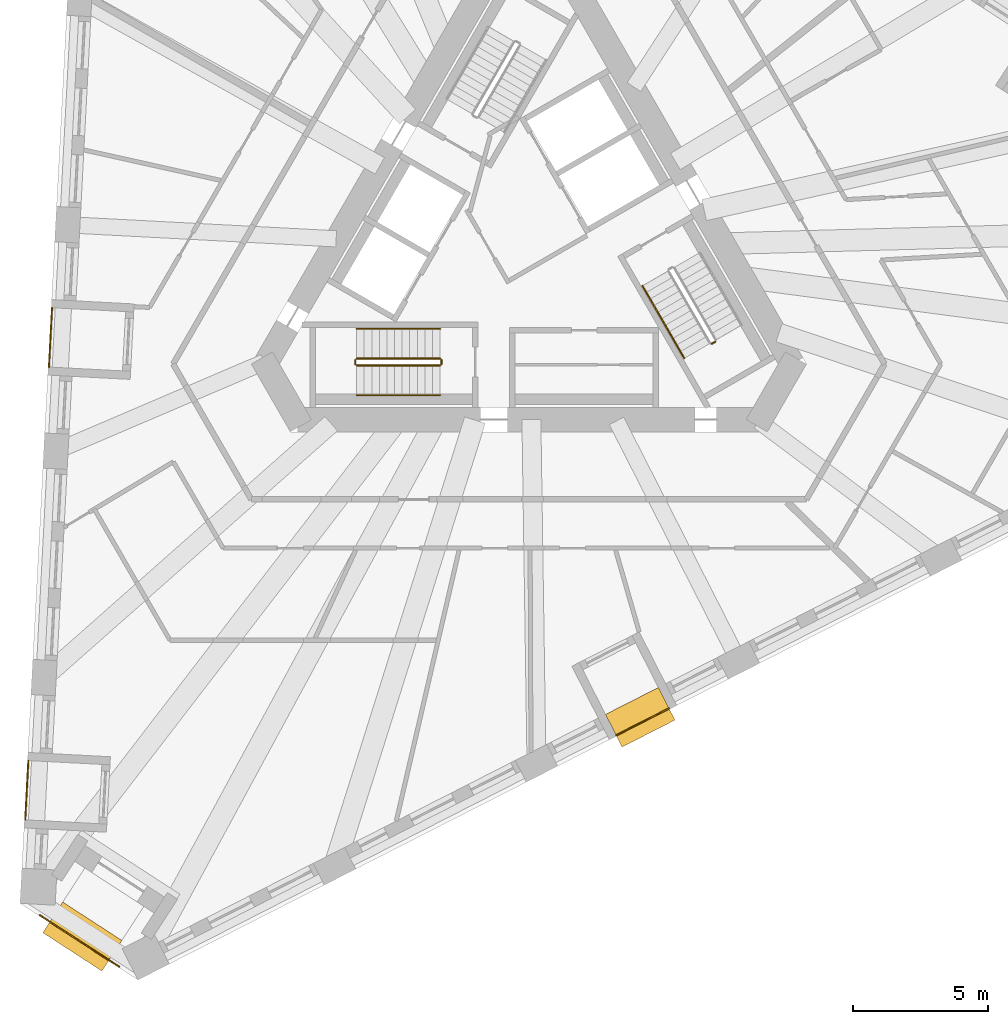
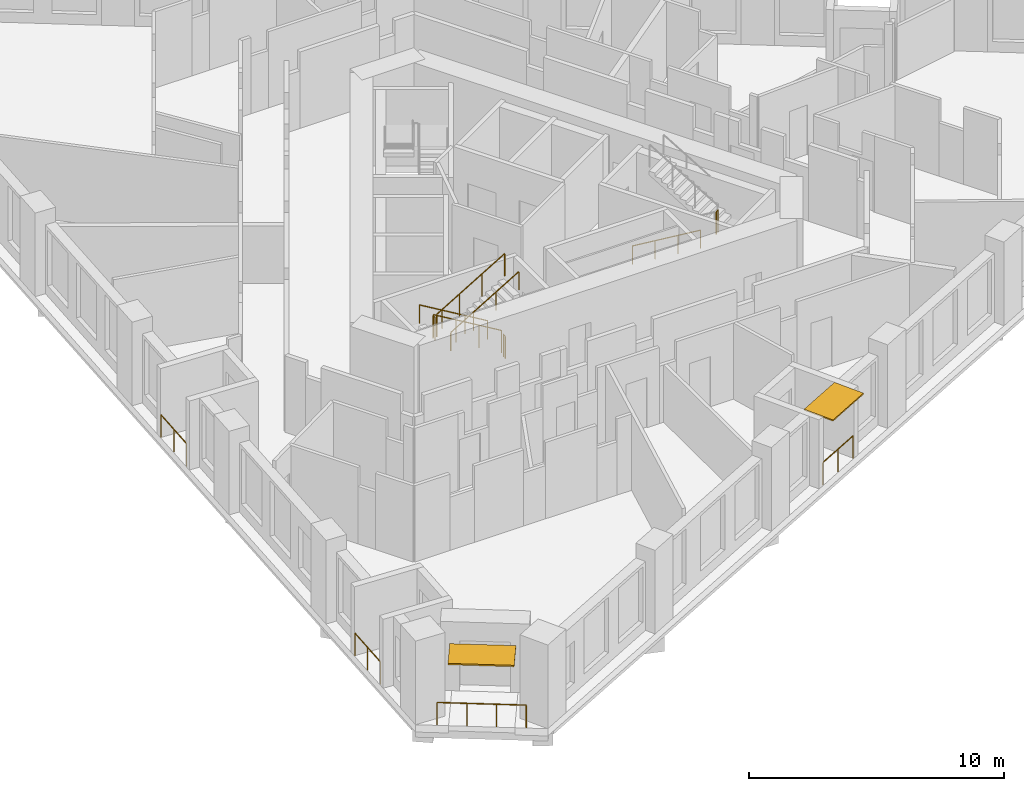
# One storey, part 10 of 13: 12 railings, 2 shading devices.
"""IFC4 building model written with IfcOpenShell, lengths in metres."""

import ifcopenshell
import ifcopenshell.guid

model = None  # the IFC model being written
_history = None  # IfcOwnerHistory: only IFC2X3 demands one
_inside = {}  # id of a spatial element -> (the spatial element, [elements in it])
_under = {}  # id of a project, library or spatial element -> (it, [spatial elements below it])
_declared = {}  # id of a project -> (the project, [libraries it declares])
_typed = {}  # id of a type object -> (the type object, [elements of that type])
_made_of = {}  # id of a material, layer set ... -> (it, [elements and type objects made of it])


def new_model(schema):
    """Start an empty IFC model of exactly this schema.

    Asked for "IFC4X3", IfcOpenShell would pick the latest addendum, in which some entities
    have other attributes; the version numbers below select the first issue.
    IFC2X3 requires an IfcOwnerHistory on every rooted entity: one is made here for all.
    """
    global model, _history
    if schema == "IFC4X3":
        model = ifcopenshell.file(schema_version=(4, 3, 0, 0))
    else:
        model = ifcopenshell.file(schema=schema)
    _inside.clear()
    _under.clear()
    _declared.clear()
    _typed.clear()
    _made_of.clear()
    _history = None
    if model.schema == "IFC2X3":
        org = make("IfcOrganization", Name="unknown")
        user = make(
            "IfcPersonAndOrganization",
            ThePerson=make("IfcPerson", FamilyName="unknown"),
            TheOrganization=org,
        )
        app = make(
            "IfcApplication",
            ApplicationDeveloper=org,
            Version="unknown",
            ApplicationFullName="unknown",
            ApplicationIdentifier="unknown",
        )
        _history = make(
            "IfcOwnerHistory",
            OwningUser=user,
            OwningApplication=app,
            ChangeAction="ADDED",
            CreationDate=0,
        )
    return model


def make(cls, **values):
    """One entity of the class cls with the attributes given. An attribute that is None is left unset."""
    return model.create_entity(
        cls, **{name: value for name, value in values.items() if value is not None}
    )


def rooted(cls, **values):
    """An entity with a GlobalId (a new one), such as an element, a storey or a relation."""
    return make(cls, GlobalId=ifcopenshell.guid.new(), OwnerHistory=_history, **values)


def si_unit(unit_type, name, prefix=None):
    """IfcSIUnit, for example si_unit("LENGTHUNIT", "METRE", prefix="MILLI")."""
    return make("IfcSIUnit", UnitType=unit_type, Prefix=prefix, Name=name)


def assignment(units):
    """IfcUnitAssignment: the units of a project."""
    return None if units is None else make("IfcUnitAssignment", Units=units)


def point(xyz):
    """IfcCartesianPoint."""
    return None if xyz is None else make("IfcCartesianPoint", Coordinates=xyz)


def direction(xyz):
    """IfcDirection."""
    return None if xyz is None else make("IfcDirection", DirectionRatios=xyz)


def frame(location, z_axis=None, x_axis=None):
    """IfcAxis2Placement3D, a coordinate frame: its origin and axes. An axis left out is left unset."""
    return make(
        "IfcAxis2Placement3D",
        Location=point(location),
        Axis=direction(z_axis),
        RefDirection=direction(x_axis),
    )


def frame_2d(location, x_axis=None):
    """IfcAxis2Placement2D, a coordinate frame in the plane: its origin and x axis."""
    return make(
        "IfcAxis2Placement2D", Location=point(location), RefDirection=direction(x_axis)
    )


def origin():
    """The frame at (0, 0, 0) with its axes left unset."""
    return frame((0.0, 0.0, 0.0))


def origin_2d():
    """The frame at (0, 0) in the plane with its x axis left unset."""
    return frame_2d((0.0, 0.0))


def place(relative_to, where):
    """IfcLocalPlacement: puts the frame where relative to a parent placement (None: the world)."""
    return make(
        "IfcLocalPlacement", PlacementRelTo=relative_to, RelativePlacement=where
    )


def context(
    kind, dimensions, precision=None, world=None, true_north=None, identifier=None
):
    """IfcGeometricRepresentationContext, for example the 3D "Model" context."""
    return make(
        "IfcGeometricRepresentationContext",
        ContextIdentifier=identifier,
        ContextType=kind,
        CoordinateSpaceDimension=dimensions,
        Precision=precision,
        WorldCoordinateSystem=world,
        TrueNorth=true_north,
    )


def subcontext(parent, identifier, kind, view, scale=None):
    """IfcGeometricRepresentationSubContext, for example "Body" below "Model"."""
    return make(
        "IfcGeometricRepresentationSubContext",
        ContextIdentifier=identifier,
        ContextType=kind,
        ParentContext=parent,
        TargetScale=scale,
        TargetView=view,
    )


def project(units=None, contexts=None):
    """IfcProject with its units and contexts."""
    return rooted(
        "IfcProject",
        Name="project",
        RepresentationContexts=contexts,
        UnitsInContext=assignment(units),
    )


def spatial(cls, under=None, at=None, **own):
    """A site, building, storey or space (cls), placed at a placement, below another one or the project."""
    s = rooted(cls, ObjectPlacement=at, **own)
    if under is not None:
        _under.setdefault(under.id(), (under, []))[1].append(s)
    return s


def profile(cls, at=None, kind="AREA", **sizes):
    """A parametric profile (cls). Its sizes go by their IFC names, for example OverallWidth=200.0."""
    return make(cls, ProfileType=kind, Position=at, **sizes)


def rectangle(**sizes):
    """IfcRectangleProfileDef."""
    return profile("IfcRectangleProfileDef", **sizes)


def circle(**sizes):
    """IfcCircleProfileDef."""
    return profile("IfcCircleProfileDef", **sizes)


def extrude(swept, where, along, depth):
    """IfcExtrudedAreaSolid: the profile swept, set in the frame where, extruded along a direction by depth."""
    return make(
        "IfcExtrudedAreaSolid",
        SweptArea=swept,
        Position=where,
        ExtrudedDirection=direction(along),
        Depth=depth,
    )


def shape(context_of_items, identifier, shape_type, items):
    """IfcShapeRepresentation: the items that make up one representation, for example the "Body"."""
    return make(
        "IfcShapeRepresentation",
        ContextOfItems=context_of_items,
        RepresentationIdentifier=identifier,
        RepresentationType=shape_type,
        Items=items,
    )


def material(Name=None, Category=None):
    """IfcMaterial."""
    return make("IfcMaterial", Name=Name, Category=Category)


def layer(
    of_material, thickness, ventilated=None, Name=None, Category=None, Priority=None
):
    """IfcMaterialLayer: one layer of a wall or slab, of a material (None: an air gap)."""
    return make(
        "IfcMaterialLayer",
        Material=of_material,
        LayerThickness=thickness,
        IsVentilated=ventilated,
        Name=Name,
        Category=Category,
        Priority=Priority,
    )


def layer_set(layers, Name=None):
    """IfcMaterialLayerSet."""
    return make("IfcMaterialLayerSet", MaterialLayers=layers, LayerSetName=Name)


def made_of(thing, what):
    """Note that an element or type object is made of a material, layer set ...; save() writes the relation."""
    if what is not None:
        _made_of.setdefault(what.id(), (what, []))[1].append(thing)
    return thing


def type_object(cls, material=None, **own):
    """A type object (cls), such as IfcWallType, which elements share."""
    return made_of(rooted(cls, **own), material)


def element(
    cls,
    number,
    at=None,
    inside=None,
    cuts=None,
    type_object=None,
    material=None,
    context=None,
    identifier="Body",
    shape_type=None,
    held_by="IfcProductDefinitionShape",
    body=None,
    shapes=None,
    **own,
):
    """One element of the class cls, such as IfcWall. Its Tag is "e" and its number.

    at: its placement. inside: the storey or other place that contains it. cuts: it is an
    opening in that element (IfcRelVoidsElement). A single representation is given by context,
    identifier, shape_type and body (its items); several are given by shapes. held_by: the class
    of the entity that holds the representations. save() writes the other relations.
    """
    e = rooted(cls, Tag="e%d" % number, ObjectPlacement=at, **own)
    if body is not None:
        shapes = [shape(context, identifier, shape_type, body)]
    if shapes is not None:
        e.Representation = make(held_by, Representations=shapes)
    if inside is not None:
        _inside.setdefault(inside.id(), (inside, []))[1].append(e)
    if cuts is not None:
        rooted(
            "IfcRelVoidsElement", RelatingBuildingElement=cuts, RelatedOpeningElement=e
        )
    if type_object is not None:
        _typed.setdefault(type_object.id(), (type_object, []))[1].append(e)
    return made_of(e, material)


def aggregate(whole, parts):
    """IfcRelAggregates: a whole, such as a stair, and the parts it consists of."""
    return rooted("IfcRelAggregates", RelatingObject=whole, RelatedObjects=parts)


def save(model, path):
    """Write the relations noted so far, then the file.

    IfcRelAggregates (storeys below a building ...), IfcRelContainedInSpatialStructure (elements
    in a storey), IfcRelDefinesByType, IfcRelAssociatesMaterial and IfcRelDeclares: one each for
    every whole, place, type object, material and project.
    """
    for whole, parts in _under.values():
        aggregate(whole, parts)
    for where, things in _inside.values():
        rooted(
            "IfcRelContainedInSpatialStructure",
            RelatedElements=things,
            RelatingStructure=where,
        )
    for kind, things in _typed.values():
        rooted("IfcRelDefinesByType", RelatedObjects=things, RelatingType=kind)
    for what, things in _made_of.values():
        rooted("IfcRelAssociatesMaterial", RelatedObjects=things, RelatingMaterial=what)
    for by, libraries in _declared.values():
        rooted("IfcRelDeclares", RelatingContext=by, RelatedDefinitions=libraries)
    model.write(path)


model = new_model("IFC4")

# Units and contexts
model_context = context("Model", 3, precision=1e-05, world=origin(), true_north=direction((0.0, 1.0)))
body_context = subcontext(model_context, "Body", "Model", "MODEL_VIEW")
ifc_project = project(units=[si_unit("LENGTHUNIT", "METRE"), si_unit("AREAUNIT", "SQUARE_METRE"), si_unit("VOLUMEUNIT", "CUBIC_METRE"), si_unit("PLANEANGLEUNIT", "RADIAN"), si_unit("MASSUNIT", "GRAM", prefix="KILO")], contexts=[model_context])

# Site, building, storey
site_placement = place(None, origin())
site = spatial("IfcSite", under=ifc_project, at=site_placement, CompositionType="ELEMENT")
building_placement = place(site_placement, origin())
building = spatial("IfcBuilding", under=site, at=building_placement, Name="Tramontana Tower", CompositionType="ELEMENT")
storey_placement = place(building_placement, frame((0.0, 0.0, 149.60009765625)))
storey = spatial("IfcBuildingStorey", under=building, at=storey_placement, Name="L34", CompositionType="ELEMENT", Elevation=149.60009765625)

# Railings
ifc_material_1 = material(Name="Laminated glass balustrade", Category="glass")
railing_type_1 = type_object("IfcRailingType", Name="GD1 Loggia glass balustrade 1100", PredefinedType="BALUSTRADE", material=ifc_material_1)
for number, where, name in (
    (1, (-17.60791015625, -2.171875, 0.0), "Loggia balustrade L34 G3S0.10"),
    (2, (-18.484130859375, -18.89208984375, 0.0), "Loggia balustrade L34 G3S0.16"),
):
    element("IfcRailing", number, at=place(storey_placement, frame(where)), inside=storey, type_object=railing_type_1, Name=name, PredefinedType="BALUSTRADE", context=body_context, shape_type="SweptSolid", body=[
        extrude(circle(Radius=0.02392578125, at=origin_2d()), frame((0.0, 0.0, 1.076171875), z_axis=(-0.052266372167, -0.998633179071, 0.0), x_axis=(0.998633179071, -0.052266372167, 0.0)), (0.0, 0.0, 1.0), 2.190673828125),
        extrude(circle(Radius=0.02099609375, at=origin_2d()), origin(), (0.0, 0.0, 1.0), 1.052001953125),
        extrude(circle(Radius=0.02099609375, at=origin_2d()), frame((-0.05712890625, -1.09375, 0.0)), (0.0, 0.0, 1.0), 1.052001953125),
        extrude(circle(Radius=0.02099609375, at=origin_2d()), frame((-0.114501953125, -2.187744140625, 0.0)), (0.0, 0.0, 1.0), 1.052001953125),
    ])
railing_1_placement = place(storey_placement, frame((3.225830078125, -17.96337890625, 0.0)))
element("IfcRailing", 3, at=railing_1_placement, inside=storey, type_object=railing_type_1, Name="Loggia balustrade L34 G3S1.7", PredefinedType="BALUSTRADE", context=body_context, shape_type="SweptSolid", body=[
    extrude(circle(Radius=0.02392578125, at=origin_2d()), frame((0.0, 0.0, 1.076171875), z_axis=(0.891013126725, 0.4539775413, 0.0), x_axis=(-0.4539775413, 0.891013126725, 0.0)), (0.0, 0.0, 1.0), 2.1904296875),
    extrude(circle(Radius=0.02099609375, at=origin_2d()), origin(), (0.0, 0.0, 1.0), 1.052001953125),
    extrude(circle(Radius=0.02099609375, at=origin_2d()), frame((0.975830078125, 0.4970703125, 0.0)), (0.0, 0.0, 1.0), 1.052001953125),
    extrude(circle(Radius=0.02099609375, at=origin_2d()), frame((1.95166015625, 0.994384765625, 0.0)), (0.0, 0.0, 1.0), 1.052001953125),
])
railing_2_placement = place(storey_placement, frame((-15.12744140625, -26.50732421875, 0.0)))
element("IfcRailing", 4, at=railing_2_placement, inside=storey, type_object=railing_type_1, Name="Corner loggia balustrade L34 K31", PredefinedType="BALUSTRADE", context=body_context, shape_type="SweptSolid", body=[
    extrude(circle(Radius=0.02392578125, at=origin_2d()), frame((0.0, 0.0, 1.076171875), z_axis=(-0.838665071449, 0.544647498784, 0.0), x_axis=(-0.544647498784, -0.838665071449, 0.0)), (0.0, 0.0, 1.0), 3.5),
    extrude(circle(Radius=0.02099609375, at=origin_2d()), origin(), (0.0, 0.0, 1.0), 1.052001953125),
    extrude(circle(Radius=0.02099609375, at=origin_2d()), frame((-0.978515625, 0.635498046875, 0.0)), (0.0, 0.0, 1.0), 1.052001953125),
    extrude(circle(Radius=0.02099609375, at=origin_2d()), frame((-1.956787109375, 1.270751953125, 0.0)), (0.0, 0.0, 1.0), 1.052001953125),
    extrude(circle(Radius=0.02099609375, at=origin_2d()), frame((-2.935302734375, 1.90625, 0.0)), (0.0, 0.0, 1.0), 1.052001953125),
])

# Shading devices
ifc_material_2 = material(Name="Precast concrete 60 MPa", Category="concrete")
ifc_layer_1 = layer(ifc_material_2, 0.06005859375)
ifc_layer_set_1 = layer_set([ifc_layer_1], Name="SS1 Stone sunshade blade 60")
shading_device_type_1 = type_object("IfcShadingDeviceType", Name="SS1 Stone sunshade blade 60", PredefinedType="USERDEFINED", material=ifc_layer_set_1)
shading_device_1_placement = place(storey_placement, frame((4.113037109375, -17.29248046875, 3.239990234375), z_axis=(0.0, 0.0, 1.0), x_axis=(0.891006524188, 0.45399049974, 0.0)))
element("IfcShadingDevice", 5, at=shading_device_1_placement, inside=storey, type_object=shading_device_type_1, Name="Sunshade L34 G3S1.7", ObjectType="SUNSHADE", PredefinedType="USERDEFINED", context=body_context, shape_type="SweptSolid", body=[
    extrude(rectangle(XDim=2.1904296875, YDim=1.35009765625, at=origin_2d()), origin(), (0.0, 0.0, 1.0), 0.06005859375),
])
ifc_material_3 = material(Name="Precast concrete 60 MPa", Category="concrete")
ifc_layer_2 = layer(ifc_material_3, 0.070068359375)
ifc_layer_set_2 = layer_set([ifc_layer_2], Name="SS2 Stone sunshade blade 70")
shading_device_type_2 = type_object("IfcShadingDeviceType", Name="SS2 Stone sunshade blade 70", PredefinedType="USERDEFINED", material=ifc_layer_set_2)
shading_device_2_placement = place(storey_placement, frame((-16.489013671875, -25.390869140625, 3.22998046875), z_axis=(0.0, 0.0, 1.0), x_axis=(-0.838670567945, 0.544639035015, 0.0)))
element("IfcShadingDevice", 6, at=shading_device_2_placement, inside=storey, type_object=shading_device_type_2, Name="Corner sunshade L34 K31", ObjectType="SUNSHADE", PredefinedType="USERDEFINED", context=body_context, shape_type="SweptSolid", body=[
    extrude(rectangle(XDim=2.60009765625, YDim=1.35009765625, at=origin_2d()), origin(), (0.0, 0.0, 1.0), 0.070068359375),
])

# Railings
ifc_material_4 = material(Name="Painted steel", Category="steel")
railing_type_2 = type_object("IfcRailingType", Name="STAIR GUARD 1100", PredefinedType="GUARDRAIL", material=ifc_material_4)
railing_3_placement = place(storey_placement, frame((-3.280029296875, -4.050048828125, 0.16650390625)))
element("IfcRailing", 7, at=railing_3_placement, inside=storey, type_object=railing_type_2, Name="L34 ST2 stair guard 1", PredefinedType="GUARDRAIL", context=body_context, shape_type="SweptSolid", body=[
    extrude(circle(Radius=0.02392578125, at=origin_2d()), frame((0.0, 0.0, 1.076171875), z_axis=(-0.85927862911, 0.0, 0.511507807912), x_axis=(0.0, -1.0, 0.0)), (0.0, 0.0, 1.0), 3.58447265625),
    extrude(circle(Radius=0.02099609375, at=origin_2d()), origin(), (0.0, 0.0, 1.0), 1.052001953125),
    extrude(circle(Radius=0.02099609375, at=origin_2d()), frame((-1.026611328125, 0.0, 0.611083984375)), (0.0, 0.0, 1.0), 1.052001953125),
    extrude(circle(Radius=0.02099609375, at=origin_2d()), frame((-2.053466796875, 0.0, 1.222412109375)), (0.0, 0.0, 1.0), 1.052001953125),
    extrude(circle(Radius=0.02099609375, at=origin_2d()), frame((-3.080078125, 0.0, 1.83349609375)), (0.0, 0.0, 1.0), 1.052001953125),
])
railing_4_placement = place(storey_placement, frame((-6.360107421875, -4.300048828125, 2.16650390625)))
element("IfcRailing", 8, at=railing_4_placement, inside=storey, type_object=railing_type_2, Name="L34 ST2 stair guard 2", PredefinedType="GUARDRAIL", context=body_context, shape_type="SweptSolid", body=[
    extrude(circle(Radius=0.02392578125, at=origin_2d()), frame((0.0, 0.0, 1.076171875), z_axis=(0.85927862911, 0.0, 0.511507807912), x_axis=(0.0, 1.0, 0.0)), (0.0, 0.0, 1.0), 3.58447265625),
    extrude(circle(Radius=0.02099609375, at=origin_2d()), origin(), (0.0, 0.0, 1.0), 1.052001953125),
    extrude(circle(Radius=0.02099609375, at=origin_2d()), frame((1.026611328125, 0.0, 0.611083984375)), (0.0, 0.0, 1.0), 1.052001953125),
    extrude(circle(Radius=0.02099609375, at=origin_2d()), frame((2.053466796875, 0.0, 1.222412109375)), (0.0, 0.0, 1.0), 1.052001953125),
    extrude(circle(Radius=0.02099609375, at=origin_2d()), frame((3.080078125, 0.0, 1.83349609375)), (0.0, 0.0, 1.0), 1.052001953125),
])
for number, where, name in (
    (9, (-6.409912109375, -4.10009765625, 2.0), "L34 ST2 stair guard 3"),
    (10, (-3.22998046875, -4.10009765625, 0.0), "L34 ST2 stair guard 4"),
):
    element("IfcRailing", number, at=place(storey_placement, frame(where)), inside=storey, type_object=railing_type_2, Name=name, PredefinedType="GUARDRAIL", context=body_context, shape_type="SweptSolid", body=[
        extrude(circle(Radius=0.02392578125, at=origin_2d()), frame((0.0, 0.0, 1.076171875), z_axis=(0.0, -1.0, 0.0), x_axis=(1.0, 0.0, 0.0)), (0.0, 0.0, 1.0), 0.14990234375),
        extrude(circle(Radius=0.02099609375, at=origin_2d()), origin(), (0.0, 0.0, 1.0), 1.052001953125),
        extrude(circle(Radius=0.02099609375, at=origin_2d()), frame((0.0, -0.14990234375, 0.0)), (0.0, 0.0, 1.0), 1.052001953125),
    ])
railing_5_placement = place(storey_placement, frame((6.755615234375, -3.501220703125, 2.0)))
element("IfcRailing", 11, at=railing_5_placement, inside=storey, type_object=railing_type_2, Name="L34 ST3 stair guard 3", PredefinedType="GUARDRAIL", context=body_context, shape_type="SweptSolid", body=[
    extrude(circle(Radius=0.02392578125, at=origin_2d()), frame((0.0, 0.0, 1.076171875), z_axis=(0.866131372301, 0.499816412211, 0.0), x_axis=(-0.499816412211, 0.866131372301, 0.0)), (0.0, 0.0, 1.0), 0.14990234375),
    extrude(circle(Radius=0.02099609375, at=origin_2d()), origin(), (0.0, 0.0, 1.0), 1.052001953125),
    extrude(circle(Radius=0.02099609375, at=origin_2d()), frame((0.1298828125, 0.074951171875, 0.0)), (0.0, 0.0, 1.0), 1.052001953125),
])
ifc_material_5 = material(Name="Painted steel", Category="steel")
railing_type_3 = type_object("IfcRailingType", Name="STAIR HANDRAIL 900", PredefinedType="HANDRAIL", material=ifc_material_5)
railing_6_placement = place(storey_placement, frame((-3.280029296875, -2.949951171875, 0.16650390625)))
element("IfcRailing", 12, at=railing_6_placement, inside=storey, type_object=railing_type_3, Name="L34 ST2 stair handrail 1", PredefinedType="HANDRAIL", context=body_context, shape_type="SweptSolid", body=[
    extrude(circle(Radius=0.02392578125, at=origin_2d()), frame((0.0, 0.0, 0.8759765625), z_axis=(-0.85927862911, 0.0, 0.511507807912), x_axis=(0.0, -1.0, 0.0)), (0.0, 0.0, 1.0), 3.58447265625),
    extrude(circle(Radius=0.02099609375, at=origin_2d()), origin(), (0.0, 0.0, 1.0), 0.851806640625),
    extrude(circle(Radius=0.02099609375, at=origin_2d()), frame((-1.026611328125, 0.0, 0.611083984375)), (0.0, 0.0, 1.0), 0.851806640625),
    extrude(circle(Radius=0.02099609375, at=origin_2d()), frame((-2.053466796875, 0.0, 1.222412109375)), (0.0, 0.0, 1.0), 0.851806640625),
    extrude(circle(Radius=0.02099609375, at=origin_2d()), frame((-3.080078125, 0.0, 1.83349609375)), (0.0, 0.0, 1.0), 0.851806640625),
])
railing_7_placement = place(storey_placement, frame((-6.360107421875, -5.39990234375, 2.16650390625)))
element("IfcRailing", 13, at=railing_7_placement, inside=storey, type_object=railing_type_3, Name="L34 ST2 stair handrail 2", PredefinedType="HANDRAIL", context=body_context, shape_type="SweptSolid", body=[
    extrude(circle(Radius=0.02392578125, at=origin_2d()), frame((0.0, 0.0, 0.8759765625), z_axis=(0.85927862911, 0.0, 0.511507807912), x_axis=(0.0, 1.0, 0.0)), (0.0, 0.0, 1.0), 3.58447265625),
    extrude(circle(Radius=0.02099609375, at=origin_2d()), origin(), (0.0, 0.0, 1.0), 0.851806640625),
    extrude(circle(Radius=0.02099609375, at=origin_2d()), frame((1.026611328125, 0.0, 0.611083984375)), (0.0, 0.0, 1.0), 0.851806640625),
    extrude(circle(Radius=0.02099609375, at=origin_2d()), frame((2.053466796875, 0.0, 1.222412109375)), (0.0, 0.0, 1.0), 0.851806640625),
    extrude(circle(Radius=0.02099609375, at=origin_2d()), frame((3.080078125, 0.0, 1.83349609375)), (0.0, 0.0, 1.0), 0.851806640625),
])
railing_8_placement = place(storey_placement, frame((4.19482421875, -1.365478515625, 0.16650390625)))
element("IfcRailing", 14, at=railing_8_placement, inside=storey, type_object=railing_type_3, Name="L34 ST3 stair handrail 1", PredefinedType="HANDRAIL", context=body_context, shape_type="SweptSolid", body=[
    extrude(circle(Radius=0.02392578125, at=origin_2d()), frame((0.0, 0.0, 0.8759765625), z_axis=(0.429634447492, -0.7441639146, 0.511502013422), x_axis=(0.866029832698, 0.499992328818, 0.0)), (0.0, 0.0, 1.0), 3.58447265625),
    extrude(circle(Radius=0.02099609375, at=origin_2d()), origin(), (0.0, 0.0, 1.0), 0.851806640625),
    extrude(circle(Radius=0.02099609375, at=origin_2d()), frame((0.513427734375, -0.88916015625, 0.611083984375)), (0.0, 0.0, 1.0), 0.851806640625),
    extrude(circle(Radius=0.02099609375, at=origin_2d()), frame((1.026611328125, -1.7783203125, 1.222412109375)), (0.0, 0.0, 1.0), 0.851806640625),
    extrude(circle(Radius=0.02099609375, at=origin_2d()), frame((1.5400390625, -2.66748046875, 1.83349609375)), (0.0, 0.0, 1.0), 0.851806640625),
])

save(model, "model.ifc")
